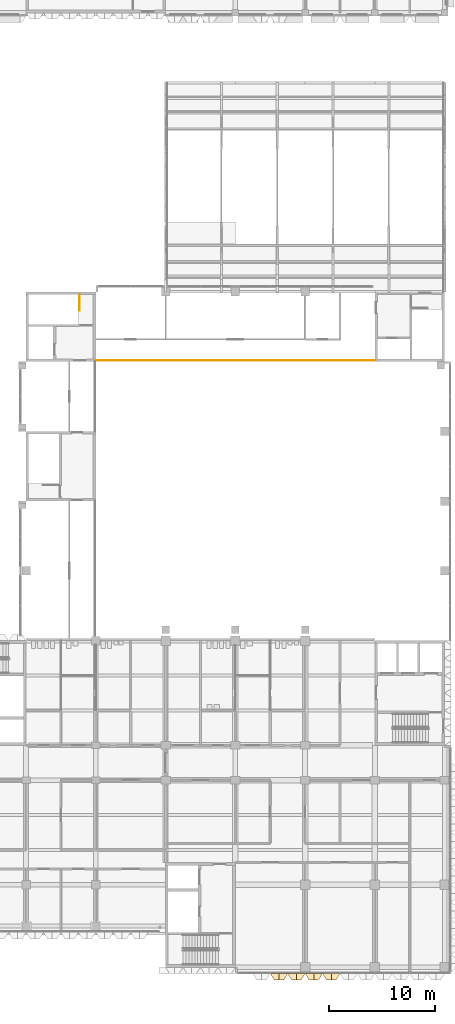
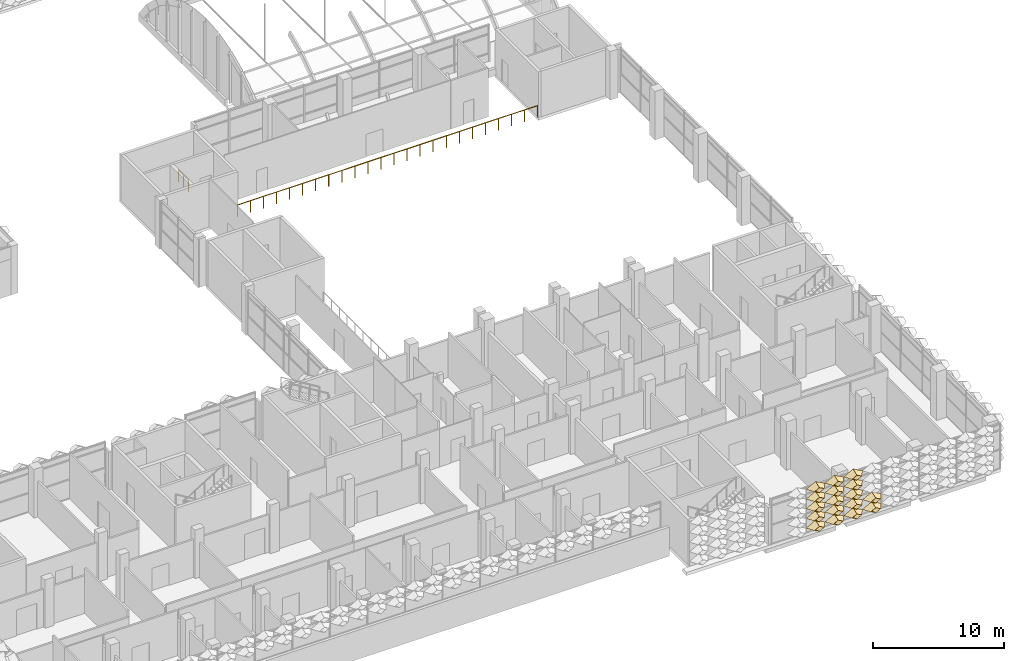
# One storey, part 74 of 102: 17 coverings, 2 railings.
"""IFC4 building model written with IfcOpenShell, lengths in metres."""

from ifc_helpers import new_model, entity, si_unit, direction, frame, origin, origin_2d, place, context, subcontext, project, spatial, circle, extrude, material, layer, layer_set, type_object, element, save


model = new_model("IFC4")

# Units and contexts
model_context = context("Model", 3, precision=1e-05, world=origin(), true_north=direction((0.0, 1.0)))
body_context = subcontext(model_context, "Body", "Model", "MODEL_VIEW")
ifc_project = project(units=[si_unit("LENGTHUNIT", "METRE"), si_unit("AREAUNIT", "SQUARE_METRE"), si_unit("VOLUMEUNIT", "CUBIC_METRE"), si_unit("PLANEANGLEUNIT", "RADIAN"), si_unit("MASSUNIT", "GRAM", prefix="KILO")], contexts=[model_context])

# Site, building, storey
site_placement = place(None, origin())
site = spatial("IfcSite", under=ifc_project, at=site_placement, CompositionType="ELEMENT")
building_placement = place(site_placement, origin())
building = spatial("IfcBuilding", under=site, at=building_placement, Name="Lantern Court Research Institute", CompositionType="ELEMENT")
storey_placement = place(building_placement, frame((0.0, 0.0, 9.89990234375)))
storey = spatial("IfcBuildingStorey", under=building, at=storey_placement, Name="L02", CompositionType="ELEMENT", Elevation=9.89990234375)

# Coverings
ifc_material_1 = material(Name="Anodised aluminium", Category="aluminium")
ifc_layer = layer(ifc_material_1, 0.01611328125)
ifc_layer_set = layer_set([ifc_layer], Name="Anodised aluminium")
covering_type = type_object("IfcCoveringType", Name="Fin cassette 1650 x 900 x 600 aluminium", PredefinedType="CLADDING", material=ifc_layer_set)
covering_1_placement = place(storey_placement, frame((63.52490234375, -8.39990234375, 0.4501953125), z_axis=(0.0, -1.0, 0.0), x_axis=(1.0, 0.0, 0.0)))
cartesian_point_1 = entity("IfcCartesianPoint", [0.824951171875, 0.0])
cartesian_point_2 = entity("IfcCartesianPoint", [0.79150390625, 0.0])
cartesian_point_3 = entity("IfcCartesianPoint", [0.44189453125, 0.0])
cartesian_point_4 = entity("IfcCartesianPoint", [0.43359375, 0.0])
element("IfcCovering", 1, at=covering_1_placement, inside=storey, type_object=covering_type, Name="Fin cassette V5S-L02 1.39", PredefinedType="CLADDING", context=body_context, shape_type="SweptSolid", body=[
    entity("IfcExtrudedAreaSolidTapered", entity("IfcArbitraryProfileDefWithVoids", "AREA", None, entity("IfcPolyline", [cartesian_point_1, entity("IfcCartesianPoint", [0.0, 0.449951171875]), entity("IfcCartesianPoint", [-0.824951171875, 0.0]), entity("IfcCartesianPoint", [0.0, -0.449951171875]), cartesian_point_1]), [entity("IfcPolyline", [cartesian_point_2, entity("IfcCartesianPoint", [0.0, 0.431884765625]), entity("IfcCartesianPoint", [-0.79150390625, 0.0]), entity("IfcCartesianPoint", [0.0, -0.431884765625]), cartesian_point_2])]), entity("IfcAxis2Placement3D", entity("IfcCartesianPoint", [0.0, 0.0, 0.0])), entity("IfcDirection", [0.0, 0.0, 1.0]), 0.60009765625, entity("IfcArbitraryProfileDefWithVoids", "AREA", None, entity("IfcPolyline", [cartesian_point_3, entity("IfcCartesianPoint", [0.0, 0.240966796875]), entity("IfcCartesianPoint", [-0.44189453125, 0.0]), entity("IfcCartesianPoint", [0.0, -0.240966796875]), cartesian_point_3]), [entity("IfcPolyline", [cartesian_point_4, entity("IfcCartesianPoint", [0.0, 0.236572265625]), entity("IfcCartesianPoint", [-0.43359375, 0.0]), entity("IfcCartesianPoint", [0.0, -0.236572265625]), cartesian_point_4])])),
])
covering_2_placement = place(storey_placement, frame((65.175048828125, -8.39990234375, 0.4501953125), z_axis=(0.0, -1.0, 0.0), x_axis=(1.0, 0.0, 0.0)))
cartesian_point_5 = entity("IfcCartesianPoint", [0.824951171875, 0.0])
cartesian_point_6 = entity("IfcCartesianPoint", [0.79150390625, 0.0])
cartesian_point_7 = entity("IfcCartesianPoint", [0.44189453125, 0.0])
cartesian_point_8 = entity("IfcCartesianPoint", [0.43359375, 0.0])
element("IfcCovering", 2, at=covering_2_placement, inside=storey, type_object=covering_type, Name="Fin cassette V5S-L02 1.40", PredefinedType="CLADDING", context=body_context, shape_type="SweptSolid", body=[
    entity("IfcExtrudedAreaSolidTapered", entity("IfcArbitraryProfileDefWithVoids", "AREA", None, entity("IfcPolyline", [cartesian_point_5, entity("IfcCartesianPoint", [0.0, 0.449951171875]), entity("IfcCartesianPoint", [-0.824951171875, 0.0]), entity("IfcCartesianPoint", [0.0, -0.449951171875]), cartesian_point_5]), [entity("IfcPolyline", [cartesian_point_6, entity("IfcCartesianPoint", [0.0, 0.431884765625]), entity("IfcCartesianPoint", [-0.79150390625, 0.0]), entity("IfcCartesianPoint", [0.0, -0.431884765625]), cartesian_point_6])]), entity("IfcAxis2Placement3D", entity("IfcCartesianPoint", [0.0, 0.0, 0.0])), entity("IfcDirection", [0.0, 0.0, 1.0]), 0.60009765625, entity("IfcArbitraryProfileDefWithVoids", "AREA", None, entity("IfcPolyline", [cartesian_point_7, entity("IfcCartesianPoint", [0.0, 0.240966796875]), entity("IfcCartesianPoint", [-0.44189453125, 0.0]), entity("IfcCartesianPoint", [0.0, -0.240966796875]), cartesian_point_7]), [entity("IfcPolyline", [cartesian_point_8, entity("IfcCartesianPoint", [0.0, 0.236572265625]), entity("IfcCartesianPoint", [-0.43359375, 0.0]), entity("IfcCartesianPoint", [0.0, -0.236572265625]), cartesian_point_8])])),
])
covering_3_placement = place(storey_placement, frame((66.824951171875, -8.39990234375, 0.4501953125), z_axis=(0.0, -1.0, 0.0), x_axis=(1.0, 0.0, 0.0)))
cartesian_point_9 = entity("IfcCartesianPoint", [0.824951171875, 0.0])
cartesian_point_10 = entity("IfcCartesianPoint", [0.79150390625, 0.0])
cartesian_point_11 = entity("IfcCartesianPoint", [0.44189453125, 0.0])
cartesian_point_12 = entity("IfcCartesianPoint", [0.43359375, 0.0])
element("IfcCovering", 3, at=covering_3_placement, inside=storey, type_object=covering_type, Name="Fin cassette V5S-L02 1.41", PredefinedType="CLADDING", context=body_context, shape_type="SweptSolid", body=[
    entity("IfcExtrudedAreaSolidTapered", entity("IfcArbitraryProfileDefWithVoids", "AREA", None, entity("IfcPolyline", [cartesian_point_9, entity("IfcCartesianPoint", [0.0, 0.449951171875]), entity("IfcCartesianPoint", [-0.824951171875, 0.0]), entity("IfcCartesianPoint", [0.0, -0.449951171875]), cartesian_point_9]), [entity("IfcPolyline", [cartesian_point_10, entity("IfcCartesianPoint", [0.0, 0.431884765625]), entity("IfcCartesianPoint", [-0.79150390625, 0.0]), entity("IfcCartesianPoint", [0.0, -0.431884765625]), cartesian_point_10])]), entity("IfcAxis2Placement3D", entity("IfcCartesianPoint", [0.0, 0.0, 0.0])), entity("IfcDirection", [0.0, 0.0, 1.0]), 0.60009765625, entity("IfcArbitraryProfileDefWithVoids", "AREA", None, entity("IfcPolyline", [cartesian_point_11, entity("IfcCartesianPoint", [0.0, 0.240966796875]), entity("IfcCartesianPoint", [-0.44189453125, 0.0]), entity("IfcCartesianPoint", [0.0, -0.240966796875]), cartesian_point_11]), [entity("IfcPolyline", [cartesian_point_12, entity("IfcCartesianPoint", [0.0, 0.236572265625]), entity("IfcCartesianPoint", [-0.43359375, 0.0]), entity("IfcCartesianPoint", [0.0, -0.236572265625]), cartesian_point_12])])),
])
covering_4_placement = place(storey_placement, frame((68.47509765625, -8.39990234375, 0.4501953125), z_axis=(0.0, -1.0, 0.0), x_axis=(1.0, 0.0, 0.0)))
cartesian_point_13 = entity("IfcCartesianPoint", [0.824951171875, 0.0])
cartesian_point_14 = entity("IfcCartesianPoint", [0.79150390625, 0.0])
cartesian_point_15 = entity("IfcCartesianPoint", [0.44189453125, 0.0])
cartesian_point_16 = entity("IfcCartesianPoint", [0.43359375, 0.0])
element("IfcCovering", 4, at=covering_4_placement, inside=storey, type_object=covering_type, Name="Fin cassette V5S-L02 1.42", PredefinedType="CLADDING", context=body_context, shape_type="SweptSolid", body=[
    entity("IfcExtrudedAreaSolidTapered", entity("IfcArbitraryProfileDefWithVoids", "AREA", None, entity("IfcPolyline", [cartesian_point_13, entity("IfcCartesianPoint", [0.0, 0.449951171875]), entity("IfcCartesianPoint", [-0.824951171875, 0.0]), entity("IfcCartesianPoint", [0.0, -0.449951171875]), cartesian_point_13]), [entity("IfcPolyline", [cartesian_point_14, entity("IfcCartesianPoint", [0.0, 0.431884765625]), entity("IfcCartesianPoint", [-0.79150390625, 0.0]), entity("IfcCartesianPoint", [0.0, -0.431884765625]), cartesian_point_14])]), entity("IfcAxis2Placement3D", entity("IfcCartesianPoint", [0.0, 0.0, 0.0])), entity("IfcDirection", [0.0, 0.0, 1.0]), 0.60009765625, entity("IfcArbitraryProfileDefWithVoids", "AREA", None, entity("IfcPolyline", [cartesian_point_15, entity("IfcCartesianPoint", [0.0, 0.240966796875]), entity("IfcCartesianPoint", [-0.44189453125, 0.0]), entity("IfcCartesianPoint", [0.0, -0.240966796875]), cartesian_point_15]), [entity("IfcPolyline", [cartesian_point_16, entity("IfcCartesianPoint", [0.0, 0.236572265625]), entity("IfcCartesianPoint", [-0.43359375, 0.0]), entity("IfcCartesianPoint", [0.0, -0.236572265625]), cartesian_point_16])])),
])
covering_5_placement = place(storey_placement, frame((63.52490234375, -8.39990234375, 1.35009765625), z_axis=(0.0, -1.0, 0.0), x_axis=(1.0, 0.0, 0.0)))
cartesian_point_17 = entity("IfcCartesianPoint", [0.824951171875, 0.0])
cartesian_point_18 = entity("IfcCartesianPoint", [0.79150390625, 0.0])
cartesian_point_19 = entity("IfcCartesianPoint", [0.44189453125, 0.0])
cartesian_point_20 = entity("IfcCartesianPoint", [0.43359375, 0.0])
element("IfcCovering", 5, at=covering_5_placement, inside=storey, type_object=covering_type, Name="Fin cassette V5S-L02 2.39", PredefinedType="CLADDING", context=body_context, shape_type="SweptSolid", body=[
    entity("IfcExtrudedAreaSolidTapered", entity("IfcArbitraryProfileDefWithVoids", "AREA", None, entity("IfcPolyline", [cartesian_point_17, entity("IfcCartesianPoint", [0.0, 0.449951171875]), entity("IfcCartesianPoint", [-0.824951171875, 0.0]), entity("IfcCartesianPoint", [0.0, -0.449951171875]), cartesian_point_17]), [entity("IfcPolyline", [cartesian_point_18, entity("IfcCartesianPoint", [0.0, 0.431884765625]), entity("IfcCartesianPoint", [-0.79150390625, 0.0]), entity("IfcCartesianPoint", [0.0, -0.431884765625]), cartesian_point_18])]), entity("IfcAxis2Placement3D", entity("IfcCartesianPoint", [0.0, 0.0, 0.0])), entity("IfcDirection", [0.0, 0.0, 1.0]), 0.60009765625, entity("IfcArbitraryProfileDefWithVoids", "AREA", None, entity("IfcPolyline", [cartesian_point_19, entity("IfcCartesianPoint", [0.0, 0.240966796875]), entity("IfcCartesianPoint", [-0.44189453125, 0.0]), entity("IfcCartesianPoint", [0.0, -0.240966796875]), cartesian_point_19]), [entity("IfcPolyline", [cartesian_point_20, entity("IfcCartesianPoint", [0.0, 0.236572265625]), entity("IfcCartesianPoint", [-0.43359375, 0.0]), entity("IfcCartesianPoint", [0.0, -0.236572265625]), cartesian_point_20])])),
])
covering_6_placement = place(storey_placement, frame((65.175048828125, -8.39990234375, 1.35009765625), z_axis=(0.0, -1.0, 0.0), x_axis=(1.0, 0.0, 0.0)))
cartesian_point_21 = entity("IfcCartesianPoint", [0.824951171875, 0.0])
cartesian_point_22 = entity("IfcCartesianPoint", [0.79150390625, 0.0])
cartesian_point_23 = entity("IfcCartesianPoint", [0.44189453125, 0.0])
cartesian_point_24 = entity("IfcCartesianPoint", [0.43359375, 0.0])
element("IfcCovering", 6, at=covering_6_placement, inside=storey, type_object=covering_type, Name="Fin cassette V5S-L02 2.40", PredefinedType="CLADDING", context=body_context, shape_type="SweptSolid", body=[
    entity("IfcExtrudedAreaSolidTapered", entity("IfcArbitraryProfileDefWithVoids", "AREA", None, entity("IfcPolyline", [cartesian_point_21, entity("IfcCartesianPoint", [0.0, 0.449951171875]), entity("IfcCartesianPoint", [-0.824951171875, 0.0]), entity("IfcCartesianPoint", [0.0, -0.449951171875]), cartesian_point_21]), [entity("IfcPolyline", [cartesian_point_22, entity("IfcCartesianPoint", [0.0, 0.431884765625]), entity("IfcCartesianPoint", [-0.79150390625, 0.0]), entity("IfcCartesianPoint", [0.0, -0.431884765625]), cartesian_point_22])]), entity("IfcAxis2Placement3D", entity("IfcCartesianPoint", [0.0, 0.0, 0.0])), entity("IfcDirection", [0.0, 0.0, 1.0]), 0.60009765625, entity("IfcArbitraryProfileDefWithVoids", "AREA", None, entity("IfcPolyline", [cartesian_point_23, entity("IfcCartesianPoint", [0.0, 0.240966796875]), entity("IfcCartesianPoint", [-0.44189453125, 0.0]), entity("IfcCartesianPoint", [0.0, -0.240966796875]), cartesian_point_23]), [entity("IfcPolyline", [cartesian_point_24, entity("IfcCartesianPoint", [0.0, 0.236572265625]), entity("IfcCartesianPoint", [-0.43359375, 0.0]), entity("IfcCartesianPoint", [0.0, -0.236572265625]), cartesian_point_24])])),
])
covering_7_placement = place(storey_placement, frame((66.824951171875, -8.39990234375, 1.35009765625), z_axis=(0.0, -1.0, 0.0), x_axis=(1.0, 0.0, 0.0)))
cartesian_point_25 = entity("IfcCartesianPoint", [0.824951171875, 0.0])
cartesian_point_26 = entity("IfcCartesianPoint", [0.79150390625, 0.0])
cartesian_point_27 = entity("IfcCartesianPoint", [0.44189453125, 0.0])
cartesian_point_28 = entity("IfcCartesianPoint", [0.43359375, 0.0])
element("IfcCovering", 7, at=covering_7_placement, inside=storey, type_object=covering_type, Name="Fin cassette V5S-L02 2.41", PredefinedType="CLADDING", context=body_context, shape_type="SweptSolid", body=[
    entity("IfcExtrudedAreaSolidTapered", entity("IfcArbitraryProfileDefWithVoids", "AREA", None, entity("IfcPolyline", [cartesian_point_25, entity("IfcCartesianPoint", [0.0, 0.449951171875]), entity("IfcCartesianPoint", [-0.824951171875, 0.0]), entity("IfcCartesianPoint", [0.0, -0.449951171875]), cartesian_point_25]), [entity("IfcPolyline", [cartesian_point_26, entity("IfcCartesianPoint", [0.0, 0.431884765625]), entity("IfcCartesianPoint", [-0.79150390625, 0.0]), entity("IfcCartesianPoint", [0.0, -0.431884765625]), cartesian_point_26])]), entity("IfcAxis2Placement3D", entity("IfcCartesianPoint", [0.0, 0.0, 0.0])), entity("IfcDirection", [0.0, 0.0, 1.0]), 0.60009765625, entity("IfcArbitraryProfileDefWithVoids", "AREA", None, entity("IfcPolyline", [cartesian_point_27, entity("IfcCartesianPoint", [0.0, 0.240966796875]), entity("IfcCartesianPoint", [-0.44189453125, 0.0]), entity("IfcCartesianPoint", [0.0, -0.240966796875]), cartesian_point_27]), [entity("IfcPolyline", [cartesian_point_28, entity("IfcCartesianPoint", [0.0, 0.236572265625]), entity("IfcCartesianPoint", [-0.43359375, 0.0]), entity("IfcCartesianPoint", [0.0, -0.236572265625]), cartesian_point_28])])),
])
covering_8_placement = place(storey_placement, frame((68.47509765625, -8.39990234375, 1.35009765625), z_axis=(0.0, -1.0, 0.0), x_axis=(1.0, 0.0, 0.0)))
cartesian_point_29 = entity("IfcCartesianPoint", [0.824951171875, 0.0])
cartesian_point_30 = entity("IfcCartesianPoint", [0.79150390625, 0.0])
cartesian_point_31 = entity("IfcCartesianPoint", [0.44189453125, 0.0])
cartesian_point_32 = entity("IfcCartesianPoint", [0.43359375, 0.0])
element("IfcCovering", 8, at=covering_8_placement, inside=storey, type_object=covering_type, Name="Fin cassette V5S-L02 2.42", PredefinedType="CLADDING", context=body_context, shape_type="SweptSolid", body=[
    entity("IfcExtrudedAreaSolidTapered", entity("IfcArbitraryProfileDefWithVoids", "AREA", None, entity("IfcPolyline", [cartesian_point_29, entity("IfcCartesianPoint", [0.0, 0.449951171875]), entity("IfcCartesianPoint", [-0.824951171875, 0.0]), entity("IfcCartesianPoint", [0.0, -0.449951171875]), cartesian_point_29]), [entity("IfcPolyline", [cartesian_point_30, entity("IfcCartesianPoint", [0.0, 0.431884765625]), entity("IfcCartesianPoint", [-0.79150390625, 0.0]), entity("IfcCartesianPoint", [0.0, -0.431884765625]), cartesian_point_30])]), entity("IfcAxis2Placement3D", entity("IfcCartesianPoint", [0.0, 0.0, 0.0])), entity("IfcDirection", [0.0, 0.0, 1.0]), 0.60009765625, entity("IfcArbitraryProfileDefWithVoids", "AREA", None, entity("IfcPolyline", [cartesian_point_31, entity("IfcCartesianPoint", [0.0, 0.240966796875]), entity("IfcCartesianPoint", [-0.44189453125, 0.0]), entity("IfcCartesianPoint", [0.0, -0.240966796875]), cartesian_point_31]), [entity("IfcPolyline", [cartesian_point_32, entity("IfcCartesianPoint", [0.0, 0.236572265625]), entity("IfcCartesianPoint", [-0.43359375, 0.0]), entity("IfcCartesianPoint", [0.0, -0.236572265625]), cartesian_point_32])])),
])
covering_9_placement = place(storey_placement, frame((63.52490234375, -8.39990234375, 2.25), z_axis=(0.0, -1.0, 0.0), x_axis=(1.0, 0.0, 0.0)))
cartesian_point_33 = entity("IfcCartesianPoint", [0.824951171875, 0.0])
cartesian_point_34 = entity("IfcCartesianPoint", [0.79150390625, 0.0])
cartesian_point_35 = entity("IfcCartesianPoint", [0.44189453125, 0.0])
cartesian_point_36 = entity("IfcCartesianPoint", [0.43359375, 0.0])
element("IfcCovering", 9, at=covering_9_placement, inside=storey, type_object=covering_type, Name="Fin cassette V5S-L02 3.39", PredefinedType="CLADDING", context=body_context, shape_type="SweptSolid", body=[
    entity("IfcExtrudedAreaSolidTapered", entity("IfcArbitraryProfileDefWithVoids", "AREA", None, entity("IfcPolyline", [cartesian_point_33, entity("IfcCartesianPoint", [0.0, 0.449951171875]), entity("IfcCartesianPoint", [-0.824951171875, 0.0]), entity("IfcCartesianPoint", [0.0, -0.449951171875]), cartesian_point_33]), [entity("IfcPolyline", [cartesian_point_34, entity("IfcCartesianPoint", [0.0, 0.431884765625]), entity("IfcCartesianPoint", [-0.79150390625, 0.0]), entity("IfcCartesianPoint", [0.0, -0.431884765625]), cartesian_point_34])]), entity("IfcAxis2Placement3D", entity("IfcCartesianPoint", [0.0, 0.0, 0.0])), entity("IfcDirection", [0.0, 0.0, 1.0]), 0.60009765625, entity("IfcArbitraryProfileDefWithVoids", "AREA", None, entity("IfcPolyline", [cartesian_point_35, entity("IfcCartesianPoint", [0.0, 0.240966796875]), entity("IfcCartesianPoint", [-0.44189453125, 0.0]), entity("IfcCartesianPoint", [0.0, -0.240966796875]), cartesian_point_35]), [entity("IfcPolyline", [cartesian_point_36, entity("IfcCartesianPoint", [0.0, 0.236572265625]), entity("IfcCartesianPoint", [-0.43359375, 0.0]), entity("IfcCartesianPoint", [0.0, -0.236572265625]), cartesian_point_36])])),
])
covering_10_placement = place(storey_placement, frame((65.175048828125, -8.39990234375, 2.25), z_axis=(0.0, -1.0, 0.0), x_axis=(1.0, 0.0, 0.0)))
cartesian_point_37 = entity("IfcCartesianPoint", [0.824951171875, 0.0])
cartesian_point_38 = entity("IfcCartesianPoint", [0.79150390625, 0.0])
cartesian_point_39 = entity("IfcCartesianPoint", [0.44189453125, 0.0])
cartesian_point_40 = entity("IfcCartesianPoint", [0.43359375, 0.0])
element("IfcCovering", 10, at=covering_10_placement, inside=storey, type_object=covering_type, Name="Fin cassette V5S-L02 3.40", PredefinedType="CLADDING", context=body_context, shape_type="SweptSolid", body=[
    entity("IfcExtrudedAreaSolidTapered", entity("IfcArbitraryProfileDefWithVoids", "AREA", None, entity("IfcPolyline", [cartesian_point_37, entity("IfcCartesianPoint", [0.0, 0.449951171875]), entity("IfcCartesianPoint", [-0.824951171875, 0.0]), entity("IfcCartesianPoint", [0.0, -0.449951171875]), cartesian_point_37]), [entity("IfcPolyline", [cartesian_point_38, entity("IfcCartesianPoint", [0.0, 0.431884765625]), entity("IfcCartesianPoint", [-0.79150390625, 0.0]), entity("IfcCartesianPoint", [0.0, -0.431884765625]), cartesian_point_38])]), entity("IfcAxis2Placement3D", entity("IfcCartesianPoint", [0.0, 0.0, 0.0])), entity("IfcDirection", [0.0, 0.0, 1.0]), 0.60009765625, entity("IfcArbitraryProfileDefWithVoids", "AREA", None, entity("IfcPolyline", [cartesian_point_39, entity("IfcCartesianPoint", [0.0, 0.240966796875]), entity("IfcCartesianPoint", [-0.44189453125, 0.0]), entity("IfcCartesianPoint", [0.0, -0.240966796875]), cartesian_point_39]), [entity("IfcPolyline", [cartesian_point_40, entity("IfcCartesianPoint", [0.0, 0.236572265625]), entity("IfcCartesianPoint", [-0.43359375, 0.0]), entity("IfcCartesianPoint", [0.0, -0.236572265625]), cartesian_point_40])])),
])
covering_11_placement = place(storey_placement, frame((66.824951171875, -8.39990234375, 2.25), z_axis=(0.0, -1.0, 0.0), x_axis=(1.0, 0.0, 0.0)))
cartesian_point_41 = entity("IfcCartesianPoint", [0.824951171875, 0.0])
cartesian_point_42 = entity("IfcCartesianPoint", [0.79150390625, 0.0])
cartesian_point_43 = entity("IfcCartesianPoint", [0.44189453125, 0.0])
cartesian_point_44 = entity("IfcCartesianPoint", [0.43359375, 0.0])
element("IfcCovering", 11, at=covering_11_placement, inside=storey, type_object=covering_type, Name="Fin cassette V5S-L02 3.41", PredefinedType="CLADDING", context=body_context, shape_type="SweptSolid", body=[
    entity("IfcExtrudedAreaSolidTapered", entity("IfcArbitraryProfileDefWithVoids", "AREA", None, entity("IfcPolyline", [cartesian_point_41, entity("IfcCartesianPoint", [0.0, 0.449951171875]), entity("IfcCartesianPoint", [-0.824951171875, 0.0]), entity("IfcCartesianPoint", [0.0, -0.449951171875]), cartesian_point_41]), [entity("IfcPolyline", [cartesian_point_42, entity("IfcCartesianPoint", [0.0, 0.431884765625]), entity("IfcCartesianPoint", [-0.79150390625, 0.0]), entity("IfcCartesianPoint", [0.0, -0.431884765625]), cartesian_point_42])]), entity("IfcAxis2Placement3D", entity("IfcCartesianPoint", [0.0, 0.0, 0.0])), entity("IfcDirection", [0.0, 0.0, 1.0]), 0.60009765625, entity("IfcArbitraryProfileDefWithVoids", "AREA", None, entity("IfcPolyline", [cartesian_point_43, entity("IfcCartesianPoint", [0.0, 0.240966796875]), entity("IfcCartesianPoint", [-0.44189453125, 0.0]), entity("IfcCartesianPoint", [0.0, -0.240966796875]), cartesian_point_43]), [entity("IfcPolyline", [cartesian_point_44, entity("IfcCartesianPoint", [0.0, 0.236572265625]), entity("IfcCartesianPoint", [-0.43359375, 0.0]), entity("IfcCartesianPoint", [0.0, -0.236572265625]), cartesian_point_44])])),
])
covering_12_placement = place(storey_placement, frame((63.52490234375, -8.39990234375, 3.150146484375), z_axis=(0.0, -1.0, 0.0), x_axis=(1.0, 0.0, 0.0)))
cartesian_point_45 = entity("IfcCartesianPoint", [0.824951171875, 0.0])
cartesian_point_46 = entity("IfcCartesianPoint", [0.79150390625, 0.0])
cartesian_point_47 = entity("IfcCartesianPoint", [0.44189453125, 0.0])
cartesian_point_48 = entity("IfcCartesianPoint", [0.43359375, 0.0])
element("IfcCovering", 12, at=covering_12_placement, inside=storey, type_object=covering_type, Name="Fin cassette V5S-L02 4.39", PredefinedType="CLADDING", context=body_context, shape_type="SweptSolid", body=[
    entity("IfcExtrudedAreaSolidTapered", entity("IfcArbitraryProfileDefWithVoids", "AREA", None, entity("IfcPolyline", [cartesian_point_45, entity("IfcCartesianPoint", [0.0, 0.449951171875]), entity("IfcCartesianPoint", [-0.824951171875, 0.0]), entity("IfcCartesianPoint", [0.0, -0.449951171875]), cartesian_point_45]), [entity("IfcPolyline", [cartesian_point_46, entity("IfcCartesianPoint", [0.0, 0.431884765625]), entity("IfcCartesianPoint", [-0.79150390625, 0.0]), entity("IfcCartesianPoint", [0.0, -0.431884765625]), cartesian_point_46])]), entity("IfcAxis2Placement3D", entity("IfcCartesianPoint", [0.0, 0.0, 0.0])), entity("IfcDirection", [0.0, 0.0, 1.0]), 0.60009765625, entity("IfcArbitraryProfileDefWithVoids", "AREA", None, entity("IfcPolyline", [cartesian_point_47, entity("IfcCartesianPoint", [0.0, 0.240966796875]), entity("IfcCartesianPoint", [-0.44189453125, 0.0]), entity("IfcCartesianPoint", [0.0, -0.240966796875]), cartesian_point_47]), [entity("IfcPolyline", [cartesian_point_48, entity("IfcCartesianPoint", [0.0, 0.236572265625]), entity("IfcCartesianPoint", [-0.43359375, 0.0]), entity("IfcCartesianPoint", [0.0, -0.236572265625]), cartesian_point_48])])),
])
covering_13_placement = place(storey_placement, frame((65.175048828125, -8.39990234375, 3.150146484375), z_axis=(0.0, -1.0, 0.0), x_axis=(1.0, 0.0, 0.0)))
cartesian_point_49 = entity("IfcCartesianPoint", [0.824951171875, 0.0])
cartesian_point_50 = entity("IfcCartesianPoint", [0.79150390625, 0.0])
cartesian_point_51 = entity("IfcCartesianPoint", [0.44189453125, 0.0])
cartesian_point_52 = entity("IfcCartesianPoint", [0.43359375, 0.0])
element("IfcCovering", 13, at=covering_13_placement, inside=storey, type_object=covering_type, Name="Fin cassette V5S-L02 4.40", PredefinedType="CLADDING", context=body_context, shape_type="SweptSolid", body=[
    entity("IfcExtrudedAreaSolidTapered", entity("IfcArbitraryProfileDefWithVoids", "AREA", None, entity("IfcPolyline", [cartesian_point_49, entity("IfcCartesianPoint", [0.0, 0.449951171875]), entity("IfcCartesianPoint", [-0.824951171875, 0.0]), entity("IfcCartesianPoint", [0.0, -0.449951171875]), cartesian_point_49]), [entity("IfcPolyline", [cartesian_point_50, entity("IfcCartesianPoint", [0.0, 0.431884765625]), entity("IfcCartesianPoint", [-0.79150390625, 0.0]), entity("IfcCartesianPoint", [0.0, -0.431884765625]), cartesian_point_50])]), entity("IfcAxis2Placement3D", entity("IfcCartesianPoint", [0.0, 0.0, 0.0])), entity("IfcDirection", [0.0, 0.0, 1.0]), 0.60009765625, entity("IfcArbitraryProfileDefWithVoids", "AREA", None, entity("IfcPolyline", [cartesian_point_51, entity("IfcCartesianPoint", [0.0, 0.240966796875]), entity("IfcCartesianPoint", [-0.44189453125, 0.0]), entity("IfcCartesianPoint", [0.0, -0.240966796875]), cartesian_point_51]), [entity("IfcPolyline", [cartesian_point_52, entity("IfcCartesianPoint", [0.0, 0.236572265625]), entity("IfcCartesianPoint", [-0.43359375, 0.0]), entity("IfcCartesianPoint", [0.0, -0.236572265625]), cartesian_point_52])])),
])
covering_14_placement = place(storey_placement, frame((66.824951171875, -8.39990234375, 3.150146484375), z_axis=(0.0, -1.0, 0.0), x_axis=(1.0, 0.0, 0.0)))
cartesian_point_53 = entity("IfcCartesianPoint", [0.824951171875, 0.0])
cartesian_point_54 = entity("IfcCartesianPoint", [0.79150390625, 0.0])
cartesian_point_55 = entity("IfcCartesianPoint", [0.44189453125, 0.0])
cartesian_point_56 = entity("IfcCartesianPoint", [0.43359375, 0.0])
element("IfcCovering", 14, at=covering_14_placement, inside=storey, type_object=covering_type, Name="Fin cassette V5S-L02 4.41", PredefinedType="CLADDING", context=body_context, shape_type="SweptSolid", body=[
    entity("IfcExtrudedAreaSolidTapered", entity("IfcArbitraryProfileDefWithVoids", "AREA", None, entity("IfcPolyline", [cartesian_point_53, entity("IfcCartesianPoint", [0.0, 0.449951171875]), entity("IfcCartesianPoint", [-0.824951171875, 0.0]), entity("IfcCartesianPoint", [0.0, -0.449951171875]), cartesian_point_53]), [entity("IfcPolyline", [cartesian_point_54, entity("IfcCartesianPoint", [0.0, 0.431884765625]), entity("IfcCartesianPoint", [-0.79150390625, 0.0]), entity("IfcCartesianPoint", [0.0, -0.431884765625]), cartesian_point_54])]), entity("IfcAxis2Placement3D", entity("IfcCartesianPoint", [0.0, 0.0, 0.0])), entity("IfcDirection", [0.0, 0.0, 1.0]), 0.60009765625, entity("IfcArbitraryProfileDefWithVoids", "AREA", None, entity("IfcPolyline", [cartesian_point_55, entity("IfcCartesianPoint", [0.0, 0.240966796875]), entity("IfcCartesianPoint", [-0.44189453125, 0.0]), entity("IfcCartesianPoint", [0.0, -0.240966796875]), cartesian_point_55]), [entity("IfcPolyline", [cartesian_point_56, entity("IfcCartesianPoint", [0.0, 0.236572265625]), entity("IfcCartesianPoint", [-0.43359375, 0.0]), entity("IfcCartesianPoint", [0.0, -0.236572265625]), cartesian_point_56])])),
])
covering_15_placement = place(storey_placement, frame((63.52490234375, -8.39990234375, 4.050048828125), z_axis=(0.0, -1.0, 0.0), x_axis=(1.0, 0.0, 0.0)))
cartesian_point_57 = entity("IfcCartesianPoint", [0.824951171875, 0.0])
cartesian_point_58 = entity("IfcCartesianPoint", [0.79150390625, 0.0])
cartesian_point_59 = entity("IfcCartesianPoint", [0.44189453125, 0.0])
cartesian_point_60 = entity("IfcCartesianPoint", [0.43359375, 0.0])
element("IfcCovering", 15, at=covering_15_placement, inside=storey, type_object=covering_type, Name="Fin cassette V5S-L02 5.39", PredefinedType="CLADDING", context=body_context, shape_type="SweptSolid", body=[
    entity("IfcExtrudedAreaSolidTapered", entity("IfcArbitraryProfileDefWithVoids", "AREA", None, entity("IfcPolyline", [cartesian_point_57, entity("IfcCartesianPoint", [0.0, 0.449951171875]), entity("IfcCartesianPoint", [-0.824951171875, 0.0]), entity("IfcCartesianPoint", [0.0, -0.449951171875]), cartesian_point_57]), [entity("IfcPolyline", [cartesian_point_58, entity("IfcCartesianPoint", [0.0, 0.431884765625]), entity("IfcCartesianPoint", [-0.79150390625, 0.0]), entity("IfcCartesianPoint", [0.0, -0.431884765625]), cartesian_point_58])]), entity("IfcAxis2Placement3D", entity("IfcCartesianPoint", [0.0, 0.0, 0.0])), entity("IfcDirection", [0.0, 0.0, 1.0]), 0.60009765625, entity("IfcArbitraryProfileDefWithVoids", "AREA", None, entity("IfcPolyline", [cartesian_point_59, entity("IfcCartesianPoint", [0.0, 0.240966796875]), entity("IfcCartesianPoint", [-0.44189453125, 0.0]), entity("IfcCartesianPoint", [0.0, -0.240966796875]), cartesian_point_59]), [entity("IfcPolyline", [cartesian_point_60, entity("IfcCartesianPoint", [0.0, 0.236572265625]), entity("IfcCartesianPoint", [-0.43359375, 0.0]), entity("IfcCartesianPoint", [0.0, -0.236572265625]), cartesian_point_60])])),
])
covering_16_placement = place(storey_placement, frame((65.175048828125, -8.39990234375, 4.050048828125), z_axis=(0.0, -1.0, 0.0), x_axis=(1.0, 0.0, 0.0)))
cartesian_point_61 = entity("IfcCartesianPoint", [0.824951171875, 0.0])
cartesian_point_62 = entity("IfcCartesianPoint", [0.79150390625, 0.0])
cartesian_point_63 = entity("IfcCartesianPoint", [0.44189453125, 0.0])
cartesian_point_64 = entity("IfcCartesianPoint", [0.43359375, 0.0])
element("IfcCovering", 16, at=covering_16_placement, inside=storey, type_object=covering_type, Name="Fin cassette V5S-L02 5.40", PredefinedType="CLADDING", context=body_context, shape_type="SweptSolid", body=[
    entity("IfcExtrudedAreaSolidTapered", entity("IfcArbitraryProfileDefWithVoids", "AREA", None, entity("IfcPolyline", [cartesian_point_61, entity("IfcCartesianPoint", [0.0, 0.449951171875]), entity("IfcCartesianPoint", [-0.824951171875, 0.0]), entity("IfcCartesianPoint", [0.0, -0.449951171875]), cartesian_point_61]), [entity("IfcPolyline", [cartesian_point_62, entity("IfcCartesianPoint", [0.0, 0.431884765625]), entity("IfcCartesianPoint", [-0.79150390625, 0.0]), entity("IfcCartesianPoint", [0.0, -0.431884765625]), cartesian_point_62])]), entity("IfcAxis2Placement3D", entity("IfcCartesianPoint", [0.0, 0.0, 0.0])), entity("IfcDirection", [0.0, 0.0, 1.0]), 0.60009765625, entity("IfcArbitraryProfileDefWithVoids", "AREA", None, entity("IfcPolyline", [cartesian_point_63, entity("IfcCartesianPoint", [0.0, 0.240966796875]), entity("IfcCartesianPoint", [-0.44189453125, 0.0]), entity("IfcCartesianPoint", [0.0, -0.240966796875]), cartesian_point_63]), [entity("IfcPolyline", [cartesian_point_64, entity("IfcCartesianPoint", [0.0, 0.236572265625]), entity("IfcCartesianPoint", [-0.43359375, 0.0]), entity("IfcCartesianPoint", [0.0, -0.236572265625]), cartesian_point_64])])),
])
covering_17_placement = place(storey_placement, frame((66.824951171875, -8.39990234375, 4.050048828125), z_axis=(0.0, -1.0, 0.0), x_axis=(1.0, 0.0, 0.0)))
cartesian_point_65 = entity("IfcCartesianPoint", [0.824951171875, 0.0])
cartesian_point_66 = entity("IfcCartesianPoint", [0.79150390625, 0.0])
cartesian_point_67 = entity("IfcCartesianPoint", [0.44189453125, 0.0])
cartesian_point_68 = entity("IfcCartesianPoint", [0.43359375, 0.0])
element("IfcCovering", 17, at=covering_17_placement, inside=storey, type_object=covering_type, Name="Fin cassette V5S-L02 5.41", PredefinedType="CLADDING", context=body_context, shape_type="SweptSolid", body=[
    entity("IfcExtrudedAreaSolidTapered", entity("IfcArbitraryProfileDefWithVoids", "AREA", None, entity("IfcPolyline", [cartesian_point_65, entity("IfcCartesianPoint", [0.0, 0.449951171875]), entity("IfcCartesianPoint", [-0.824951171875, 0.0]), entity("IfcCartesianPoint", [0.0, -0.449951171875]), cartesian_point_65]), [entity("IfcPolyline", [cartesian_point_66, entity("IfcCartesianPoint", [0.0, 0.431884765625]), entity("IfcCartesianPoint", [-0.79150390625, 0.0]), entity("IfcCartesianPoint", [0.0, -0.431884765625]), cartesian_point_66])]), entity("IfcAxis2Placement3D", entity("IfcCartesianPoint", [0.0, 0.0, 0.0])), entity("IfcDirection", [0.0, 0.0, 1.0]), 0.60009765625, entity("IfcArbitraryProfileDefWithVoids", "AREA", None, entity("IfcPolyline", [cartesian_point_67, entity("IfcCartesianPoint", [0.0, 0.240966796875]), entity("IfcCartesianPoint", [-0.44189453125, 0.0]), entity("IfcCartesianPoint", [0.0, -0.240966796875]), cartesian_point_67]), [entity("IfcPolyline", [cartesian_point_68, entity("IfcCartesianPoint", [0.0, 0.236572265625]), entity("IfcCartesianPoint", [-0.43359375, 0.0]), entity("IfcCartesianPoint", [0.0, -0.236572265625]), cartesian_point_68])])),
])

# Railings
ifc_material_2 = material(Name="Structural steel S355", Category="steel")
railing_type_1 = type_object("IfcRailingType", Name="Gallery guard 1100", PredefinedType="GUARDRAIL", material=ifc_material_2)
railing_1_placement = place(storey_placement, frame((46.199951171875, 49.60009765625, 0.0)))
element("IfcRailing", 18, at=railing_1_placement, inside=storey, type_object=railing_type_1, Name="Gallery guard L02", PredefinedType="GUARDRAIL", context=body_context, shape_type="SweptSolid", body=[
    extrude(circle(Radius=0.02490234375, at=origin_2d()), frame((0.0, 0.0, 1.0751953125), z_axis=(1.0, 0.0, 0.0), x_axis=(0.0, 1.0, 0.0)), (0.0, 0.0, 1.0), 26.400146484375),
    extrude(circle(Radius=0.02001953125, at=origin_2d()), origin(), (0.0, 0.0, 1.0), 1.050048828125),
    extrude(circle(Radius=0.02001953125, at=origin_2d()), frame((1.14794921875, 0.0, 0.0)), (0.0, 0.0, 1.0), 1.050048828125),
    extrude(circle(Radius=0.02001953125, at=origin_2d()), frame((2.295654296875, 0.0, 0.0)), (0.0, 0.0, 1.0), 1.050048828125),
    extrude(circle(Radius=0.02001953125, at=origin_2d()), frame((3.443603515625, 0.0, 0.0)), (0.0, 0.0, 1.0), 1.050048828125),
    extrude(circle(Radius=0.02001953125, at=origin_2d()), frame((4.59130859375, 0.0, 0.0)), (0.0, 0.0, 1.0), 1.050048828125),
    extrude(circle(Radius=0.02001953125, at=origin_2d()), frame((5.7392578125, 0.0, 0.0)), (0.0, 0.0, 1.0), 1.050048828125),
    extrude(circle(Radius=0.02001953125, at=origin_2d()), frame((6.886962890625, 0.0, 0.0)), (0.0, 0.0, 1.0), 1.050048828125),
    extrude(circle(Radius=0.02001953125, at=origin_2d()), frame((8.034912109375, 0.0, 0.0)), (0.0, 0.0, 1.0), 1.050048828125),
    extrude(circle(Radius=0.02001953125, at=origin_2d()), frame((9.1826171875, 0.0, 0.0)), (0.0, 0.0, 1.0), 1.050048828125),
    extrude(circle(Radius=0.02001953125, at=origin_2d()), frame((10.33056640625, 0.0, 0.0)), (0.0, 0.0, 1.0), 1.050048828125),
    extrude(circle(Radius=0.02001953125, at=origin_2d()), frame((11.478271484375, 0.0, 0.0)), (0.0, 0.0, 1.0), 1.050048828125),
    extrude(circle(Radius=0.02001953125, at=origin_2d()), frame((12.626220703125, 0.0, 0.0)), (0.0, 0.0, 1.0), 1.050048828125),
    extrude(circle(Radius=0.02001953125, at=origin_2d()), frame((13.77392578125, 0.0, 0.0)), (0.0, 0.0, 1.0), 1.050048828125),
    extrude(circle(Radius=0.02001953125, at=origin_2d()), frame((14.921875, 0.0, 0.0)), (0.0, 0.0, 1.0), 1.050048828125),
    extrude(circle(Radius=0.02001953125, at=origin_2d()), frame((16.069580078125, 0.0, 0.0)), (0.0, 0.0, 1.0), 1.050048828125),
    extrude(circle(Radius=0.02001953125, at=origin_2d()), frame((17.217529296875, 0.0, 0.0)), (0.0, 0.0, 1.0), 1.050048828125),
    extrude(circle(Radius=0.02001953125, at=origin_2d()), frame((18.365234375, 0.0, 0.0)), (0.0, 0.0, 1.0), 1.050048828125),
    extrude(circle(Radius=0.02001953125, at=origin_2d()), frame((19.51318359375, 0.0, 0.0)), (0.0, 0.0, 1.0), 1.050048828125),
    extrude(circle(Radius=0.02001953125, at=origin_2d()), frame((20.660888671875, 0.0, 0.0)), (0.0, 0.0, 1.0), 1.050048828125),
    extrude(circle(Radius=0.02001953125, at=origin_2d()), frame((21.808837890625, 0.0, 0.0)), (0.0, 0.0, 1.0), 1.050048828125),
    extrude(circle(Radius=0.02001953125, at=origin_2d()), frame((22.95654296875, 0.0, 0.0)), (0.0, 0.0, 1.0), 1.050048828125),
    extrude(circle(Radius=0.02001953125, at=origin_2d()), frame((24.1044921875, 0.0, 0.0)), (0.0, 0.0, 1.0), 1.050048828125),
    extrude(circle(Radius=0.02001953125, at=origin_2d()), frame((25.252197265625, 0.0, 0.0)), (0.0, 0.0, 1.0), 1.050048828125),
    extrude(circle(Radius=0.02001953125, at=origin_2d()), frame((26.400146484375, 0.0, 0.0)), (0.0, 0.0, 1.0), 1.050048828125),
])
ifc_material_3 = material(Name="Structural steel S355", Category="steel")
railing_type_2 = type_object("IfcRailingType", Name="Stair guard 1100 steel", PredefinedType="GUARDRAIL", material=ifc_material_3)
railing_2_placement = place(storey_placement, frame((44.64990234375, 55.85009765625, 0.0)))
element("IfcRailing", 19, at=railing_2_placement, inside=storey, type_object=railing_type_2, Name="L02 ST-H1 top well guard 1", PredefinedType="GUARDRAIL", context=body_context, shape_type="SweptSolid", body=[
    extrude(circle(Radius=0.02392578125, at=origin_2d()), frame((0.0, 0.0, 1.076171875), z_axis=(0.0, -1.0, 0.0), x_axis=(1.0, 0.0, 0.0)), (0.0, 0.0, 1.0), 1.5),
    extrude(circle(Radius=0.02099609375, at=origin_2d()), origin(), (0.0, 0.0, 1.0), 1.052001953125),
    extrude(circle(Radius=0.02099609375, at=origin_2d()), frame((0.0, -0.75, 0.0)), (0.0, 0.0, 1.0), 1.052001953125),
    extrude(circle(Radius=0.02099609375, at=origin_2d()), frame((0.0, -1.5, 0.0)), (0.0, 0.0, 1.0), 1.052001953125),
])

save(model, "model.ifc")
